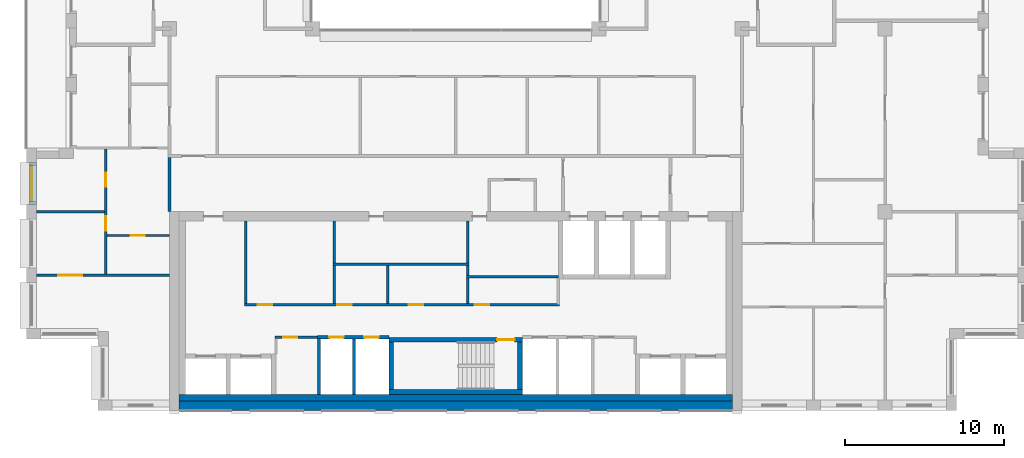
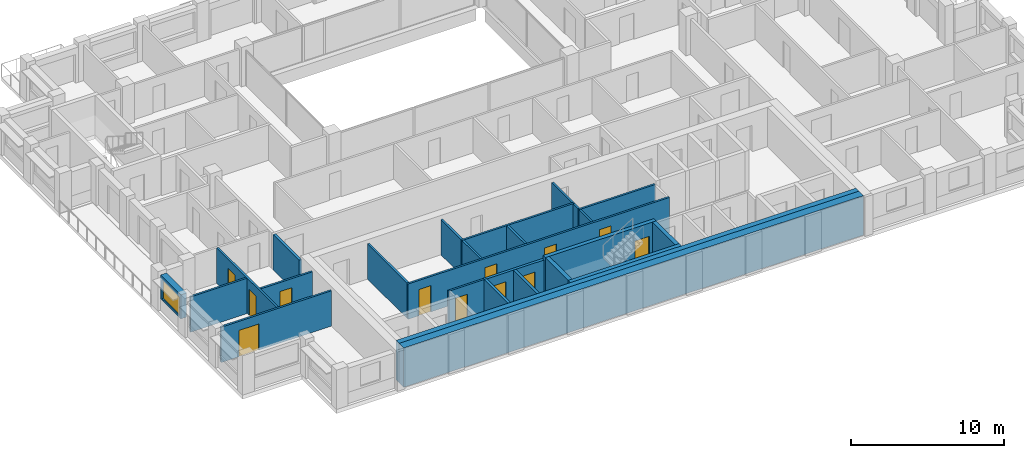
# One storey, part 8 of 15: 26 walls, 12 doors, 1 window, 13 openings.
"""IFC4 building model written with IfcOpenShell, lengths in metres."""

from ifc_helpers import new_model, si_unit, direction, frame, frame_2d, origin, place, context, subcontext, project, spatial, rectangle, extrude, material, layer, layer_set, type_object, element, fill, save


model = new_model("IFC4")

# Units and contexts
model_context = context("Model", 3, precision=1e-05, world=origin(), true_north=direction((0.0, 1.0)))
body_context = subcontext(model_context, "Body", "Model", "MODEL_VIEW")
ifc_project = project(units=[si_unit("LENGTHUNIT", "METRE"), si_unit("AREAUNIT", "SQUARE_METRE"), si_unit("VOLUMEUNIT", "CUBIC_METRE"), si_unit("PLANEANGLEUNIT", "RADIAN"), si_unit("MASSUNIT", "GRAM", prefix="KILO")], contexts=[model_context])

# Site, building, storey
site_placement = place(None, origin())
site = spatial("IfcSite", under=ifc_project, at=site_placement, CompositionType="ELEMENT")
building_placement = place(site_placement, origin())
building = spatial("IfcBuilding", under=site, at=building_placement, Name="Brigalow Station Residences", CompositionType="ELEMENT")
storey_placement = place(building_placement, frame((0.0, 0.0, 226.35009765625)))
storey = spatial("IfcBuildingStorey", under=building, at=storey_placement, Name="L65", CompositionType="ELEMENT", Elevation=226.35009765625)

# Wall, opening, window
ifc_material_1 = material(Name="Clay brick masonry", Category="masonry")
ifc_layer_1 = layer(ifc_material_1, 0.449951171875)
ifc_layer_set_1 = layer_set([ifc_layer_1], Name="BRICK INFILL WALL 450")
wall_type_1 = type_object("IfcWallType", Name="BRICK INFILL WALL 450", PredefinedType="SOLIDWALL", material=ifc_layer_set_1)
wall_1_placement = place(storey_placement, frame((9.425048828125, 15.60009765625, 0.89990234375), z_axis=(0.0, 0.0, 1.0), x_axis=(0.0, -1.0, 0.0)))
wall_1 = element("IfcWall", 1, at=wall_1_placement, inside=storey, type_object=wall_type_1, Name="L65/ewall/W-L65-41", PredefinedType="SOLIDWALL", context=body_context, shape_type="SweptSolid", body=[
    extrude(rectangle(XDim=2.650146484375, YDim=0.449951171875, at=frame_2d((1.3251953125, 0.0))), origin(), (0.0, 0.0, 1.0), 1.929931640625),
])
opening_1_placement = place(wall_1_placement, frame((0.199951171875, 0.0, 0.14990234375)))
opening_1 = element("IfcOpeningElement", 2, at=opening_1_placement, cuts=wall_1, Name="Opening WT-6", PredefinedType="OPENING", context=body_context, shape_type="SweptSolid", body=[
    extrude(rectangle(XDim=2.25, YDim=1.5, at=frame_2d((1.125, 0.75))), frame((0.0, 0.23486328125, 0.0), z_axis=(0.0, -1.0, 0.0), x_axis=(1.0, 0.0, 0.0)), (0.0, 0.0, 1.0), 0.469970703125),
])
ifc_material_2 = material(Name="Anodised aluminium frame with double glazing", Category="aluminium")
window_type = type_object("IfcWindowType", Name="WINDOW 2250x1500", PartitioningType="SINGLE_PANEL", PredefinedType="WINDOW", material=ifc_material_2)
window_placement = place(opening_1_placement, origin())
window = element("IfcWindow", 3, at=window_placement, inside=storey, type_object=window_type, Name="L65/window/W-L65-41", OverallHeight=1.5, OverallWidth=2.25, PartitioningType="SINGLE_PANEL", PredefinedType="WINDOW", context=body_context, shape_type="SweptSolid", body=[
    extrude(rectangle(XDim=2.25, YDim=1.5, at=frame_2d((1.125, 0.75))), frame((0.0, -0.06494140625, 0.0), z_axis=(0.0, -1.0, 0.0), x_axis=(1.0, 0.0, 0.0)), (0.0, 0.0, 1.0), 0.06005859375),
])
fill(opening_1, window)

# Wall
ifc_material_3 = material(Name="Concrete C50", Category="concrete")
ifc_layer_2 = layer(ifc_material_3, 0.300048828125)
ifc_layer_set_2 = layer_set([ifc_layer_2], Name="CORE SHEAR WALL 300 C50")
wall_type_2 = type_object("IfcWallType", Name="CORE SHEAR WALL 300 C50", PredefinedType="SHEAR", material=ifc_layer_set_2)
wall_2_placement = place(storey_placement, frame((31.800048828125, 1.14990234375, 0.0), z_axis=(0.0, 0.0, 1.0), x_axis=(1.0, 0.0, 0.0)))
element("IfcWall", 4, at=wall_2_placement, inside=storey, type_object=wall_type_2, Name="CORE WALL ST-S2-S L65", PredefinedType="SHEAR", context=body_context, shape_type="SweptSolid", body=[
    extrude(rectangle(XDim=8.39990234375, YDim=0.300048828125, at=frame_2d((4.199951171875, 0.0))), origin(), (0.0, 0.0, 1.0), 3.14990234375),
])

# Wall, opening, door
wall_3_placement = place(storey_placement, frame((31.800048828125, 4.449951171875, 0.0), z_axis=(0.0, 0.0, 1.0), x_axis=(1.0, 0.0, 0.0)))
wall_3 = element("IfcWall", 5, at=wall_3_placement, inside=storey, type_object=wall_type_2, Name="CORE WALL ST-S2-N L65", PredefinedType="SHEAR", context=body_context, shape_type="SweptSolid", body=[
    extrude(rectangle(XDim=8.39990234375, YDim=0.300048828125, at=frame_2d((4.199951171875, 0.0))), origin(), (0.0, 0.0, 1.0), 3.14990234375),
])
opening_2_placement = place(wall_3_placement, frame((6.800048828125, 0.0, 0.0)))
opening_2 = element("IfcOpeningElement", 6, at=opening_2_placement, cuts=wall_3, Name="Opening D-5001", PredefinedType="OPENING", context=body_context, shape_type="SweptSolid", body=[
    extrude(rectangle(XDim=1.10009765625, YDim=2.10009765625, at=frame_2d((0.550048828125, 1.050048828125))), frame((0.0, 0.16015625, 0.0), z_axis=(0.0, -1.0, 0.0), x_axis=(1.0, 0.0, 0.0)), (0.0, 0.0, 1.0), 0.320068359375),
])
ifc_material_4 = material(Name="Steel fire door leaf in steel frame", Category="steel")
door_type_1 = type_object("IfcDoorType", Name="STAIR DOOR 1100 x 2100 FD60S", OperationType="SINGLE_SWING_LEFT", PredefinedType="DOOR", material=ifc_material_4)
door_1_placement = place(opening_2_placement, frame((1.10009765625, 0.0, 0.0), z_axis=(0.0, 0.0, 1.0), x_axis=(-1.0, 0.0, 0.0)))
door_1 = element("IfcDoor", 7, at=door_1_placement, inside=storey, type_object=door_type_1, Name="D-5001", OperationType="SINGLE_SWING_LEFT", OverallHeight=2.10009765625, OverallWidth=1.10009765625, PredefinedType="DOOR", context=body_context, shape_type="SweptSolid", body=[
    extrude(rectangle(XDim=1.10009765625, YDim=2.10009765625, at=frame_2d((0.550048828125, 1.050048828125))), frame((0.0, 0.02490234375, 0.0), z_axis=(0.0, -1.0, 0.0), x_axis=(1.0, 0.0, 0.0)), (0.0, 0.0, 1.0), 0.050048828125),
])
fill(opening_2, door_1)

# Walls
for number, where, z_axis, x_axis, name in (
    (8, (31.949951171875, 1.300048828125, 0.0), (0.0, 0.0, 1.0), (0.0, 1.0, 0.0), "CORE WALL ST-S2-W L65"),
    (9, (40.050048828125, 1.300048828125, 0.0), (0.0, 0.0, 1.0), (0.0, 1.0, 0.0), "CORE WALL ST-S2-E L65"),
):
    element("IfcWall", number, at=place(storey_placement, frame(where, z_axis=z_axis, x_axis=x_axis)), inside=storey, type_object=wall_type_2, Name=name, PredefinedType="SHEAR", context=body_context, shape_type="SweptSolid", body=[
        extrude(rectangle(XDim=3.0, YDim=0.300048828125, at=frame_2d((1.5, 0.0))), origin(), (0.0, 0.0, 1.0), 3.14990234375),
    ])
ifc_material_5 = material(Name="Concrete C50", Category="concrete")
ifc_layer_3 = layer(ifc_material_5, 0.39990234375)
ifc_layer_set_3 = layer_set([ifc_layer_3], Name="CORE SHEAR WALL 400 C50")
wall_type_3 = type_object("IfcWallType", Name="CORE SHEAR WALL 400 C50", PredefinedType="SHEAR", material=ifc_layer_set_3)
wall_4_placement = place(storey_placement, frame((18.60009765625, 0.800048828125, 0.0), z_axis=(0.0, 0.0, 1.0), x_axis=(1.0, 0.0, 0.0)))
element("IfcWall", 10, at=wall_4_placement, inside=storey, type_object=wall_type_3, Name="CORE WALL LIN-S L65", PredefinedType="SHEAR", context=body_context, shape_type="SweptSolid", body=[
    extrude(rectangle(XDim=34.7998046875, YDim=0.39990234375, at=frame_2d((17.39990234375, 0.0))), origin(), (0.0, 0.0, 1.0), 3.14990234375),
])
ifc_material_6 = material(Name="Concrete C50", Category="concrete")
ifc_layer_4 = layer(ifc_material_6, 0.60009765625)
ifc_layer_set_4 = layer_set([ifc_layer_4], Name="CORE SHEAR WALL 600 C50")
wall_type_4 = type_object("IfcWallType", Name="CORE SHEAR WALL 600 C50", PredefinedType="SHEAR", material=ifc_layer_set_4)
wall_5_placement = place(storey_placement, frame((18.60009765625, 0.300048828125, 0.0), z_axis=(0.0, 0.0, 1.0), x_axis=(1.0, 0.0, 0.0)))
element("IfcWall", 11, at=wall_5_placement, inside=storey, type_object=wall_type_4, Name="CORE WALL OUT-S L65", PredefinedType="SHEAR", context=body_context, shape_type="SweptSolid", body=[
    extrude(rectangle(XDim=34.7998046875, YDim=0.60009765625, at=frame_2d((17.39990234375, 0.0))), origin(), (0.0, 0.0, 1.0), 3.14990234375),
])

# Wall, openings, doors
ifc_material_7 = material(Name="Concrete blockwork", Category="masonry")
ifc_layer_5 = layer(ifc_material_7, 0.199951171875)
ifc_layer_set_5 = layer_set([ifc_layer_5], Name="FIRE RATED CORE PARTITION 200")
wall_type_5 = type_object("IfcWallType", Name="FIRE RATED CORE PARTITION 200", PredefinedType="PARTITIONING", material=ifc_layer_set_5)
wall_6_placement = place(storey_placement, frame((27.300048828125, 4.60009765625, 0.0), z_axis=(0.0, 0.0, 1.0), x_axis=(1.0, 0.0, 0.0)))
wall_6 = element("IfcWall", 12, at=wall_6_placement, inside=storey, type_object=wall_type_5, Name="PW-5017", PredefinedType="PARTITIONING", context=body_context, shape_type="SweptSolid", body=[
    extrude(rectangle(XDim=4.5, YDim=0.199951171875, at=frame_2d((2.25, 0.0))), origin(), (0.0, 0.0, 1.0), 2.829833984375),
])
opening_3_placement = place(wall_6_placement, frame((0.75, 0.0, 0.0)))
opening_3 = element("IfcOpeningElement", 13, at=opening_3_placement, cuts=wall_6, Name="Opening D-5007", PredefinedType="OPENING", context=body_context, shape_type="SweptSolid", body=[
    extrude(rectangle(XDim=0.89990234375, YDim=2.10009765625, at=frame_2d((0.449951171875, 1.050048828125))), frame((0.0, 0.10986328125, 0.0), z_axis=(0.0, -1.0, 0.0), x_axis=(1.0, 0.0, 0.0)), (0.0, 0.0, 1.0), 0.219970703125),
])
opening_4_placement = place(wall_6_placement, frame((2.949951171875, 0.0, 0.0)))
opening_4 = element("IfcOpeningElement", 14, at=opening_4_placement, cuts=wall_6, Name="Opening D-5008", PredefinedType="OPENING", context=body_context, shape_type="SweptSolid", body=[
    extrude(rectangle(XDim=0.89990234375, YDim=2.10009765625, at=frame_2d((0.449951171875, 1.050048828125))), frame((0.0, 0.10986328125, 0.0), z_axis=(0.0, -1.0, 0.0), x_axis=(1.0, 0.0, 0.0)), (0.0, 0.0, 1.0), 0.219970703125),
])
ifc_material_8 = material(Name="Steel fire door leaf in steel frame", Category="steel")
door_type_2 = type_object("IfcDoorType", Name="RISER ACCESS DOOR 900 x 2100 FD120", OperationType="SINGLE_SWING_LEFT", PredefinedType="DOOR", material=ifc_material_8)
door_2_placement = place(opening_3_placement, frame((0.89990234375, 0.0, 0.0), z_axis=(0.0, 0.0, 1.0), x_axis=(-1.0, 0.0, 0.0)))
door_2 = element("IfcDoor", 15, at=door_2_placement, inside=storey, type_object=door_type_2, Name="D-5007", OperationType="SINGLE_SWING_RIGHT", OverallHeight=2.10009765625, OverallWidth=0.89990234375, PredefinedType="DOOR", context=body_context, shape_type="SweptSolid", body=[
    extrude(rectangle(XDim=0.89990234375, YDim=2.10009765625, at=frame_2d((0.449951171875, 1.050048828125))), frame((0.0, 0.02490234375, 0.0), z_axis=(0.0, -1.0, 0.0), x_axis=(1.0, 0.0, 0.0)), (0.0, 0.0, 1.0), 0.050048828125),
])
fill(opening_3, door_2)
door_3_placement = place(opening_4_placement, frame((0.89990234375, 0.0, 0.0), z_axis=(0.0, 0.0, 1.0), x_axis=(-1.0, 0.0, 0.0)))
door_3 = element("IfcDoor", 16, at=door_3_placement, inside=storey, type_object=door_type_2, Name="D-5008", OperationType="SINGLE_SWING_RIGHT", OverallHeight=2.10009765625, OverallWidth=0.89990234375, PredefinedType="DOOR", context=body_context, shape_type="SweptSolid", body=[
    extrude(rectangle(XDim=0.89990234375, YDim=2.10009765625, at=frame_2d((0.449951171875, 1.050048828125))), frame((0.0, 0.02490234375, 0.0), z_axis=(0.0, -1.0, 0.0), x_axis=(1.0, 0.0, 0.0)), (0.0, 0.0, 1.0), 0.050048828125),
])
fill(opening_4, door_3)

# Walls
wall_7_placement = place(storey_placement, frame((27.39990234375, 1.0, 0.0), z_axis=(0.0, 0.0, 1.0), x_axis=(0.0, 1.0, 0.0)))
element("IfcWall", 17, at=wall_7_placement, inside=storey, type_object=wall_type_5, Name="PW-5027", PredefinedType="PARTITIONING", context=body_context, shape_type="SweptSolid", body=[
    extrude(rectangle(XDim=3.52490234375, YDim=0.199951171875, at=frame_2d((1.762451171875, 0.0))), origin(), (0.0, 0.0, 1.0), 2.829833984375),
])
wall_8_placement = place(storey_placement, frame((29.60009765625, 1.0, 0.0), z_axis=(0.0, 0.0, 1.0), x_axis=(0.0, 1.0, 0.0)))
element("IfcWall", 18, at=wall_8_placement, inside=storey, type_object=wall_type_5, Name="PW-5006", PredefinedType="PARTITIONING", context=body_context, shape_type="SweptSolid", body=[
    extrude(rectangle(XDim=3.5, YDim=0.199951171875, at=frame_2d((1.75, 0.0))), origin(), (0.0, 0.0, 1.0), 2.829833984375),
])
wall_9_placement = place(storey_placement, frame((18.0, 12.5, 0.0), z_axis=(0.0, 0.0, 1.0), x_axis=(0.0, 1.0, 0.0)))
element("IfcWall", 19, at=wall_9_placement, inside=storey, type_object=wall_type_5, Name="PW-5013", PredefinedType="PARTITIONING", context=body_context, shape_type="SweptSolid", body=[
    extrude(rectangle(XDim=3.39990234375, YDim=0.199951171875, at=frame_2d((1.699951171875, 0.0))), origin(), (0.0, 0.0, 1.0), 2.829833984375),
])

# Wall, opening, door
ifc_material_9 = material(Name="Plasterboard on steel stud partition", Category="steel")
ifc_layer_6 = layer(ifc_material_9, 0.14990234375)
ifc_layer_set_6 = layer_set([ifc_layer_6], Name="FLAT PARTITION 150")
wall_type_6 = type_object("IfcWallType", Name="FLAT PARTITION 150", PredefinedType="PARTITIONING", material=ifc_layer_set_6)
wall_10_placement = place(storey_placement, frame((14.074951171875, 11.0, 0.0), z_axis=(0.0, 0.0, 1.0), x_axis=(1.0, 0.0, 0.0)))
wall_10 = element("IfcWall", 20, at=wall_10_placement, inside=storey, type_object=wall_type_6, Name="PW-4D10", PredefinedType="PARTITIONING", context=body_context, shape_type="SweptSolid", body=[
    extrude(rectangle(XDim=3.925048828125, YDim=0.14990234375, at=frame_2d((1.96240234375, 0.0))), origin(), (0.0, 0.0, 1.0), 2.829833984375),
])
opening_5_placement = place(wall_10_placement, frame((1.47509765625, 0.0, 0.0)))
opening_5 = element("IfcOpeningElement", 21, at=opening_5_placement, cuts=wall_10, Name="Opening D-4D10", PredefinedType="OPENING", context=body_context, shape_type="SweptSolid", body=[
    extrude(rectangle(XDim=0.89990234375, YDim=2.10009765625, at=frame_2d((0.449951171875, 1.050048828125))), frame((0.0, 0.0849609375, 0.0), z_axis=(0.0, -1.0, 0.0), x_axis=(1.0, 0.0, 0.0)), (0.0, 0.0, 1.0), 0.169921875),
])
ifc_material_10 = material(Name="Solid-core timber door leaf", Category="wood")
door_type_3 = type_object("IfcDoorType", Name="INTERNAL DOOR 900 x 2100", OperationType="SINGLE_SWING_LEFT", PredefinedType="DOOR", material=ifc_material_10)
door_4_placement = place(opening_5_placement, frame((0.89990234375, 0.0, 0.0), z_axis=(0.0, 0.0, 1.0), x_axis=(-1.0, 0.0, 0.0)))
door_4 = element("IfcDoor", 22, at=door_4_placement, inside=storey, type_object=door_type_3, Name="D-4D10", OperationType="SINGLE_SWING_RIGHT", OverallHeight=2.10009765625, OverallWidth=0.89990234375, PredefinedType="DOOR", context=body_context, shape_type="SweptSolid", body=[
    extrude(rectangle(XDim=0.89990234375, YDim=2.10009765625, at=frame_2d((0.449951171875, 1.050048828125))), frame((0.0, 0.02490234375, 0.0), z_axis=(0.0, -1.0, 0.0), x_axis=(1.0, 0.0, 0.0)), (0.0, 0.0, 1.0), 0.050048828125),
])
fill(opening_5, door_4)

wall_11_placement = place(storey_placement, frame((9.64990234375, 8.5, 0.0), z_axis=(0.0, 0.0, 1.0), x_axis=(1.0, 0.0, 0.0)))
wall_11 = element("IfcWall", 23, at=wall_11_placement, inside=storey, type_object=wall_type_6, Name="PW-4D11", PredefinedType="PARTITIONING", context=body_context, shape_type="SweptSolid", body=[
    extrude(rectangle(XDim=8.35009765625, YDim=0.14990234375, at=frame_2d((4.175048828125, 0.0))), origin(), (0.0, 0.0, 1.0), 2.829833984375),
])
opening_6_placement = place(wall_11_placement, frame((1.35009765625, 0.0, 0.0)))
opening_6 = element("IfcOpeningElement", 24, at=opening_6_placement, cuts=wall_11, Name="Opening D-4D09", PredefinedType="OPENING", context=body_context, shape_type="SweptSolid", body=[
    extrude(rectangle(XDim=1.5, YDim=2.10009765625, at=frame_2d((0.75, 1.050048828125))), frame((0.0, 0.0849609375, 0.0), z_axis=(0.0, -1.0, 0.0), x_axis=(1.0, 0.0, 0.0)), (0.0, 0.0, 1.0), 0.169921875),
])
ifc_material_11 = material(Name="Solid-core timber door leaf", Category="wood")
door_type_4 = type_object("IfcDoorType", Name="INTERNAL DOUBLE DOOR 1500 x 2100", OperationType="DOUBLE_DOOR_SINGLE_SWING", PredefinedType="DOOR", material=ifc_material_11)
door_5_placement = place(opening_6_placement, origin())
door_5 = element("IfcDoor", 25, at=door_5_placement, inside=storey, type_object=door_type_4, Name="D-4D09", OperationType="DOUBLE_DOOR_SINGLE_SWING", OverallHeight=2.10009765625, OverallWidth=1.5, PredefinedType="DOOR", context=body_context, shape_type="SweptSolid", body=[
    extrude(rectangle(XDim=1.5, YDim=2.10009765625, at=frame_2d((0.75, 1.050048828125))), frame((0.0, 0.02490234375, 0.0), z_axis=(0.0, -1.0, 0.0), x_axis=(1.0, 0.0, 0.0)), (0.0, 0.0, 1.0), 0.050048828125),
])
fill(opening_6, door_5)

# Wall
wall_12_placement = place(storey_placement, frame((9.64990234375, 12.5, 0.0), z_axis=(0.0, 0.0, 1.0), x_axis=(1.0, 0.0, 0.0)))
element("IfcWall", 26, at=wall_12_placement, inside=storey, type_object=wall_type_6, Name="PW-4D13", PredefinedType="PARTITIONING", context=body_context, shape_type="SweptSolid", body=[
    extrude(rectangle(XDim=4.275146484375, YDim=0.14990234375, at=frame_2d((2.1376953125, 0.0))), origin(), (0.0, 0.0, 1.0), 2.829833984375),
])

# Wall, openings, doors
wall_13_placement = place(storey_placement, frame((14.0, 8.574951171875, 0.0), z_axis=(0.0, 0.0, 1.0), x_axis=(0.0, 1.0, 0.0)))
wall_13 = element("IfcWall", 27, at=wall_13_placement, inside=storey, type_object=wall_type_6, Name="PW-4D39", PredefinedType="PARTITIONING", context=body_context, shape_type="SweptSolid", body=[
    extrude(rectangle(XDim=7.85009765625, YDim=0.14990234375, at=frame_2d((3.925048828125, 0.0))), origin(), (0.0, 0.0, 1.0), 2.829833984375),
])
opening_7_placement = place(wall_13_placement, frame((2.72509765625, 0.0, 0.0)))
opening_7 = element("IfcOpeningElement", 28, at=opening_7_placement, cuts=wall_13, Name="Opening D-4D07", PredefinedType="OPENING", context=body_context, shape_type="SweptSolid", body=[
    extrude(rectangle(XDim=0.89990234375, YDim=2.10009765625, at=frame_2d((0.449951171875, 1.050048828125))), frame((0.0, 0.0849609375, 0.0), z_axis=(0.0, -1.0, 0.0), x_axis=(1.0, 0.0, 0.0)), (0.0, 0.0, 1.0), 0.169921875),
])
opening_8_placement = place(wall_13_placement, frame((5.47509765625, 0.0, 0.0)))
opening_8 = element("IfcOpeningElement", 29, at=opening_8_placement, cuts=wall_13, Name="Opening D-4D08", PredefinedType="OPENING", context=body_context, shape_type="SweptSolid", body=[
    extrude(rectangle(XDim=0.89990234375, YDim=2.10009765625, at=frame_2d((0.449951171875, 1.050048828125))), frame((0.0, 0.0849609375, 0.0), z_axis=(0.0, -1.0, 0.0), x_axis=(1.0, 0.0, 0.0)), (0.0, 0.0, 1.0), 0.169921875),
])
door_6_placement = place(opening_7_placement, origin())
door_6 = element("IfcDoor", 30, at=door_6_placement, inside=storey, type_object=door_type_3, Name="D-4D07", OperationType="SINGLE_SWING_RIGHT", OverallHeight=2.10009765625, OverallWidth=0.89990234375, PredefinedType="DOOR", context=body_context, shape_type="SweptSolid", body=[
    extrude(rectangle(XDim=0.89990234375, YDim=2.10009765625, at=frame_2d((0.449951171875, 1.050048828125))), frame((0.0, 0.02490234375, 0.0), z_axis=(0.0, -1.0, 0.0), x_axis=(1.0, 0.0, 0.0)), (0.0, 0.0, 1.0), 0.050048828125),
])
fill(opening_7, door_6)
door_7_placement = place(opening_8_placement, origin())
door_7 = element("IfcDoor", 31, at=door_7_placement, inside=storey, type_object=door_type_3, Name="D-4D08", OperationType="SINGLE_SWING_RIGHT", OverallHeight=2.10009765625, OverallWidth=0.89990234375, PredefinedType="DOOR", context=body_context, shape_type="SweptSolid", body=[
    extrude(rectangle(XDim=0.89990234375, YDim=2.10009765625, at=frame_2d((0.449951171875, 1.050048828125))), frame((0.0, 0.02490234375, 0.0), z_axis=(0.0, -1.0, 0.0), x_axis=(1.0, 0.0, 0.0)), (0.0, 0.0, 1.0), 0.050048828125),
])
fill(opening_8, door_7)

# Wall, opening, door
ifc_material_12 = material(Name="Plasterboard on steel studs", Category="steel")
ifc_layer_7 = layer(ifc_material_12, 0.14990234375)
ifc_layer_set_7 = layer_set([ifc_layer_7], Name="SERVICE ROOM PARTITION 150")
wall_type_7 = type_object("IfcWallType", Name="SERVICE ROOM PARTITION 150", PredefinedType="PARTITIONING", material=ifc_layer_set_7)
wall_14_placement = place(storey_placement, frame((24.625, 4.60009765625, 0.0), z_axis=(0.0, 0.0, 1.0), x_axis=(1.0, 0.0, 0.0)))
wall_14 = element("IfcWall", 32, at=wall_14_placement, inside=storey, type_object=wall_type_7, Name="PW-5155", PredefinedType="PARTITIONING", context=body_context, shape_type="SweptSolid", body=[
    extrude(rectangle(XDim=2.675048828125, YDim=0.14990234375, at=frame_2d((1.33740234375, 0.0))), origin(), (0.0, 0.0, 1.0), 2.829833984375),
])
opening_9_placement = place(wall_14_placement, frame((0.52490234375, 0.0, 0.0)))
opening_9 = element("IfcOpeningElement", 33, at=opening_9_placement, cuts=wall_14, Name="Opening D-5087", PredefinedType="OPENING", context=body_context, shape_type="SweptSolid", body=[
    extrude(rectangle(XDim=0.89990234375, YDim=2.10009765625, at=frame_2d((0.449951171875, 1.050048828125))), frame((0.0, 0.0849609375, 0.0), z_axis=(0.0, -1.0, 0.0), x_axis=(1.0, 0.0, 0.0)), (0.0, 0.0, 1.0), 0.169921875),
])
ifc_material_13 = material(Name="Steel door leaf in steel frame", Category="steel")
door_type_5 = type_object("IfcDoorType", Name="SERVICE ROOM DOOR 900 x 2100 FD60", OperationType="SINGLE_SWING_LEFT", PredefinedType="DOOR", material=ifc_material_13)
door_8_placement = place(opening_9_placement, frame((0.89990234375, 0.0, 0.0), z_axis=(0.0, 0.0, 1.0), x_axis=(-1.0, 0.0, 0.0)))
door_8 = element("IfcDoor", 34, at=door_8_placement, inside=storey, type_object=door_type_5, Name="D-5087", OperationType="SINGLE_SWING_RIGHT", OverallHeight=2.10009765625, OverallWidth=0.89990234375, PredefinedType="DOOR", context=body_context, shape_type="SweptSolid", body=[
    extrude(rectangle(XDim=0.89990234375, YDim=2.10009765625, at=frame_2d((0.449951171875, 1.050048828125))), frame((0.0, 0.02490234375, 0.0), z_axis=(0.0, -1.0, 0.0), x_axis=(1.0, 0.0, 0.0)), (0.0, 0.0, 1.0), 0.050048828125),
])
fill(opening_9, door_8)

# Wall, openings, doors
wall_15_placement = place(storey_placement, frame((22.72509765625, 6.64990234375, 0.0), z_axis=(0.0, 0.0, 1.0), x_axis=(1.0, 0.0, 0.0)))
wall_15 = element("IfcWall", 35, at=wall_15_placement, inside=storey, type_object=wall_type_7, Name="PW-5195", PredefinedType="PARTITIONING", context=body_context, shape_type="SweptSolid", body=[
    extrude(rectangle(XDim=19.7998046875, YDim=0.14990234375, at=frame_2d((9.89990234375, 0.0))), origin(), (0.0, 0.0, 1.0), 2.829833984375),
])
opening_10_placement = place(wall_15_placement, frame((0.824951171875, 0.0, 0.0)))
opening_10 = element("IfcOpeningElement", 36, at=opening_10_placement, cuts=wall_15, Name="Opening D-5110", PredefinedType="OPENING", context=body_context, shape_type="SweptSolid", body=[
    extrude(rectangle(XDim=0.89990234375, YDim=2.10009765625, at=frame_2d((0.449951171875, 1.050048828125))), frame((0.0, 0.0849609375, 0.0), z_axis=(0.0, -1.0, 0.0), x_axis=(1.0, 0.0, 0.0)), (0.0, 0.0, 1.0), 0.169921875),
])
opening_11_placement = place(wall_15_placement, frame((5.824951171875, 0.0, 0.0)))
opening_11 = element("IfcOpeningElement", 37, at=opening_11_placement, cuts=wall_15, Name="Opening D-5111", PredefinedType="OPENING", context=body_context, shape_type="SweptSolid", body=[
    extrude(rectangle(XDim=0.89990234375, YDim=2.10009765625, at=frame_2d((0.449951171875, 1.050048828125))), frame((0.0, 0.0849609375, 0.0), z_axis=(0.0, -1.0, 0.0), x_axis=(1.0, 0.0, 0.0)), (0.0, 0.0, 1.0), 0.169921875),
])
opening_12_placement = place(wall_15_placement, frame((10.324951171875, 0.0, 0.0)))
opening_12 = element("IfcOpeningElement", 38, at=opening_12_placement, cuts=wall_15, Name="Opening D-5112", PredefinedType="OPENING", context=body_context, shape_type="SweptSolid", body=[
    extrude(rectangle(XDim=0.89990234375, YDim=2.10009765625, at=frame_2d((0.449951171875, 1.050048828125))), frame((0.0, 0.0849609375, 0.0), z_axis=(0.0, -1.0, 0.0), x_axis=(1.0, 0.0, 0.0)), (0.0, 0.0, 1.0), 0.169921875),
])
opening_13_placement = place(wall_15_placement, frame((14.47509765625, 0.0, 0.0)))
opening_13 = element("IfcOpeningElement", 39, at=opening_13_placement, cuts=wall_15, Name="Opening D-5114", PredefinedType="OPENING", context=body_context, shape_type="SweptSolid", body=[
    extrude(rectangle(XDim=0.89990234375, YDim=2.10009765625, at=frame_2d((0.449951171875, 1.050048828125))), frame((0.0, 0.0849609375, 0.0), z_axis=(0.0, -1.0, 0.0), x_axis=(1.0, 0.0, 0.0)), (0.0, 0.0, 1.0), 0.169921875),
])
door_9_placement = place(opening_10_placement, origin())
door_9 = element("IfcDoor", 40, at=door_9_placement, inside=storey, type_object=door_type_5, Name="D-5110", OperationType="SINGLE_SWING_LEFT", OverallHeight=2.10009765625, OverallWidth=0.89990234375, PredefinedType="DOOR", context=body_context, shape_type="SweptSolid", body=[
    extrude(rectangle(XDim=0.89990234375, YDim=2.10009765625, at=frame_2d((0.449951171875, 1.050048828125))), frame((0.0, 0.02490234375, 0.0), z_axis=(0.0, -1.0, 0.0), x_axis=(1.0, 0.0, 0.0)), (0.0, 0.0, 1.0), 0.050048828125),
])
fill(opening_10, door_9)
door_10_placement = place(opening_11_placement, origin())
door_10 = element("IfcDoor", 41, at=door_10_placement, inside=storey, type_object=door_type_5, Name="D-5111", OperationType="SINGLE_SWING_LEFT", OverallHeight=2.10009765625, OverallWidth=0.89990234375, PredefinedType="DOOR", context=body_context, shape_type="SweptSolid", body=[
    extrude(rectangle(XDim=0.89990234375, YDim=2.10009765625, at=frame_2d((0.449951171875, 1.050048828125))), frame((0.0, 0.02490234375, 0.0), z_axis=(0.0, -1.0, 0.0), x_axis=(1.0, 0.0, 0.0)), (0.0, 0.0, 1.0), 0.050048828125),
])
fill(opening_11, door_10)
door_11_placement = place(opening_12_placement, origin())
door_11 = element("IfcDoor", 42, at=door_11_placement, inside=storey, type_object=door_type_5, Name="D-5112", OperationType="SINGLE_SWING_LEFT", OverallHeight=2.10009765625, OverallWidth=0.89990234375, PredefinedType="DOOR", context=body_context, shape_type="SweptSolid", body=[
    extrude(rectangle(XDim=0.89990234375, YDim=2.10009765625, at=frame_2d((0.449951171875, 1.050048828125))), frame((0.0, 0.02490234375, 0.0), z_axis=(0.0, -1.0, 0.0), x_axis=(1.0, 0.0, 0.0)), (0.0, 0.0, 1.0), 0.050048828125),
])
fill(opening_12, door_11)
door_12_placement = place(opening_13_placement, origin())
door_12 = element("IfcDoor", 43, at=door_12_placement, inside=storey, type_object=door_type_5, Name="D-5114", OperationType="SINGLE_SWING_LEFT", OverallHeight=2.10009765625, OverallWidth=0.89990234375, PredefinedType="DOOR", context=body_context, shape_type="SweptSolid", body=[
    extrude(rectangle(XDim=0.89990234375, YDim=2.10009765625, at=frame_2d((0.449951171875, 1.050048828125))), frame((0.0, 0.02490234375, 0.0), z_axis=(0.0, -1.0, 0.0), x_axis=(1.0, 0.0, 0.0)), (0.0, 0.0, 1.0), 0.050048828125),
])
fill(opening_13, door_12)

# Walls
wall_16_placement = place(storey_placement, frame((36.675048828125, 8.39990234375, 0.0), z_axis=(0.0, 0.0, 1.0), x_axis=(1.0, 0.0, 0.0)))
element("IfcWall", 44, at=wall_16_placement, inside=storey, type_object=wall_type_7, Name="PW-5204", PredefinedType="PARTITIONING", context=body_context, shape_type="SweptSolid", body=[
    extrude(rectangle(XDim=5.77490234375, YDim=0.14990234375, at=frame_2d((2.887451171875, 0.0))), origin(), (0.0, 0.0, 1.0), 2.829833984375),
])
wall_17_placement = place(storey_placement, frame((28.27490234375, 9.18994140625, 0.0), z_axis=(0.0, 0.0, 1.0), x_axis=(1.0, 0.0, 0.0)))
element("IfcWall", 45, at=wall_17_placement, inside=storey, type_object=wall_type_7, Name="PW-5230", PredefinedType="PARTITIONING", context=body_context, shape_type="SweptSolid", body=[
    extrude(rectangle(XDim=8.550048828125, YDim=0.14990234375, at=frame_2d((4.27490234375, 0.0))), origin(), (0.0, 0.0, 1.0), 2.829833984375),
])
wall_18_placement = place(storey_placement, frame((22.800048828125, 6.72509765625, 0.0), z_axis=(0.0, 0.0, 1.0), x_axis=(0.0, 1.0, 0.0)))
element("IfcWall", 46, at=wall_18_placement, inside=storey, type_object=wall_type_7, Name="PW-5197", PredefinedType="PARTITIONING", context=body_context, shape_type="SweptSolid", body=[
    extrude(rectangle(XDim=5.1748046875, YDim=0.14990234375, at=frame_2d((2.58740234375, 0.0))), origin(), (0.0, 0.0, 1.0), 2.829833984375),
])
for number, where, z_axis, x_axis, name in (
    (47, (28.35009765625, 6.72509765625, 0.0), (0.0, 0.0, 1.0), (0.0, 1.0, 0.0), "PW-5231"),
    (48, (31.72998046875, 6.72509765625, 0.0), (0.0, 0.0, 1.0), (0.0, 1.0, 0.0), "PW-5232"),
):
    element("IfcWall", number, at=place(storey_placement, frame(where, z_axis=z_axis, x_axis=x_axis)), inside=storey, type_object=wall_type_7, Name=name, PredefinedType="PARTITIONING", context=body_context, shape_type="SweptSolid", body=[
        extrude(rectangle(XDim=2.389892578125, YDim=0.14990234375, at=frame_2d((1.19482421875, 0.0))), origin(), (0.0, 0.0, 1.0), 2.829833984375),
    ])
wall_19_placement = place(storey_placement, frame((36.75, 6.72509765625, 0.0), z_axis=(0.0, 0.0, 1.0), x_axis=(0.0, 1.0, 0.0)))
element("IfcWall", 49, at=wall_19_placement, inside=storey, type_object=wall_type_7, Name="PW-5210", PredefinedType="PARTITIONING", context=body_context, shape_type="SweptSolid", body=[
    extrude(rectangle(XDim=1.599853515625, YDim=0.14990234375, at=frame_2d((0.7998046875, 0.0))), origin(), (0.0, 0.0, 1.0), 2.829833984375),
])
wall_20_placement = place(storey_placement, frame((36.75, 8.47509765625, 0.0), z_axis=(0.0, 0.0, 1.0), x_axis=(0.0, 1.0, 0.0)))
element("IfcWall", 50, at=wall_20_placement, inside=storey, type_object=wall_type_7, Name="PW-5233", PredefinedType="PARTITIONING", context=body_context, shape_type="SweptSolid", body=[
    extrude(rectangle(XDim=0.639892578125, YDim=0.14990234375, at=frame_2d((0.31982421875, 0.0))), origin(), (0.0, 0.0, 1.0), 2.829833984375),
])
for number, where, z_axis, x_axis, name in (
    (51, (28.35009765625, 9.264892578125, 0.0), (0.0, 0.0, 1.0), (0.0, 1.0, 0.0), "PW-5234"),
    (52, (36.75, 9.264892578125, 0.0), (0.0, 0.0, 1.0), (0.0, 1.0, 0.0), "PW-5235"),
):
    element("IfcWall", number, at=place(storey_placement, frame(where, z_axis=z_axis, x_axis=x_axis)), inside=storey, type_object=wall_type_7, Name=name, PredefinedType="PARTITIONING", context=body_context, shape_type="SweptSolid", body=[
        extrude(rectangle(XDim=2.635009765625, YDim=0.14990234375, at=frame_2d((1.3173828125, 0.0))), origin(), (0.0, 0.0, 1.0), 2.829833984375),
    ])

save(model, "model.ifc")
